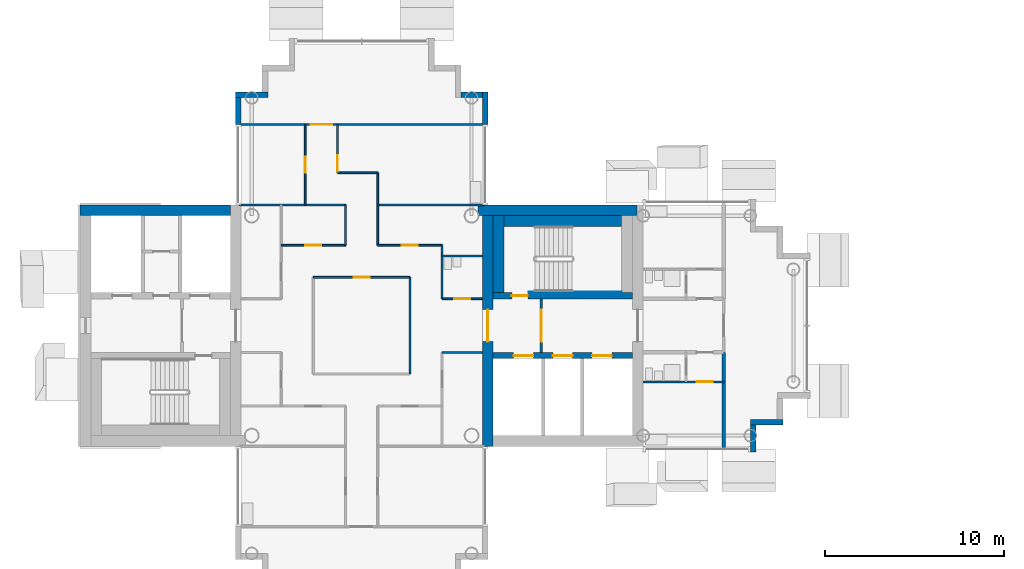
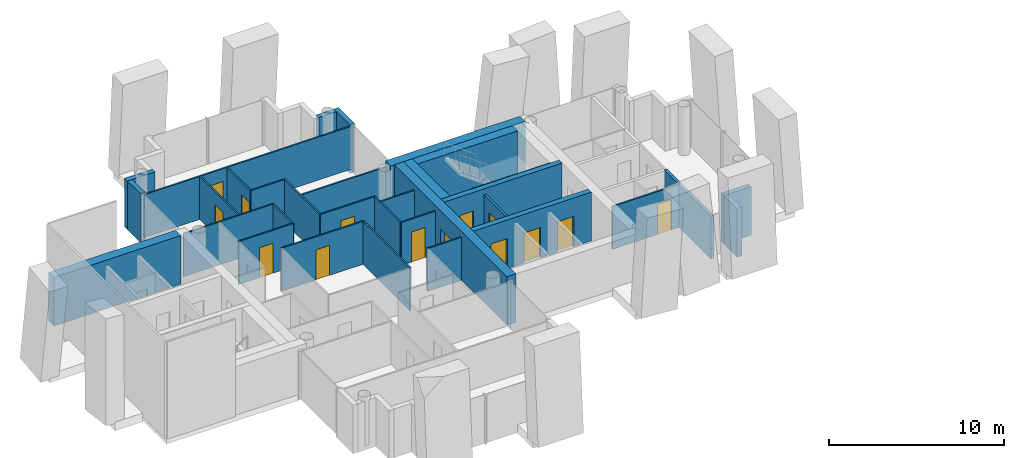
# One storey, part 7 of 19: 33 walls, 14 doors, 14 openings.
"""IFC4 building model written with IfcOpenShell, lengths in metres."""

import ifcopenshell
import ifcopenshell.guid

model = None  # the IFC model being written
_history = None  # IfcOwnerHistory: only IFC2X3 demands one
_inside = {}  # id of a spatial element -> (the spatial element, [elements in it])
_under = {}  # id of a project, library or spatial element -> (it, [spatial elements below it])
_declared = {}  # id of a project -> (the project, [libraries it declares])
_typed = {}  # id of a type object -> (the type object, [elements of that type])
_made_of = {}  # id of a material, layer set ... -> (it, [elements and type objects made of it])


def new_model(schema):
    """Start an empty IFC model of exactly this schema.

    Asked for "IFC4X3", IfcOpenShell would pick the latest addendum, in which some entities
    have other attributes; the version numbers below select the first issue.
    IFC2X3 requires an IfcOwnerHistory on every rooted entity: one is made here for all.
    """
    global model, _history
    if schema == "IFC4X3":
        model = ifcopenshell.file(schema_version=(4, 3, 0, 0))
    else:
        model = ifcopenshell.file(schema=schema)
    _inside.clear()
    _under.clear()
    _declared.clear()
    _typed.clear()
    _made_of.clear()
    _history = None
    if model.schema == "IFC2X3":
        org = make("IfcOrganization", Name="unknown")
        user = make(
            "IfcPersonAndOrganization",
            ThePerson=make("IfcPerson", FamilyName="unknown"),
            TheOrganization=org,
        )
        app = make(
            "IfcApplication",
            ApplicationDeveloper=org,
            Version="unknown",
            ApplicationFullName="unknown",
            ApplicationIdentifier="unknown",
        )
        _history = make(
            "IfcOwnerHistory",
            OwningUser=user,
            OwningApplication=app,
            ChangeAction="ADDED",
            CreationDate=0,
        )
    return model


def make(cls, **values):
    """One entity of the class cls with the attributes given. An attribute that is None is left unset."""
    return model.create_entity(
        cls, **{name: value for name, value in values.items() if value is not None}
    )


def rooted(cls, **values):
    """An entity with a GlobalId (a new one), such as an element, a storey or a relation."""
    return make(cls, GlobalId=ifcopenshell.guid.new(), OwnerHistory=_history, **values)


def si_unit(unit_type, name, prefix=None):
    """IfcSIUnit, for example si_unit("LENGTHUNIT", "METRE", prefix="MILLI")."""
    return make("IfcSIUnit", UnitType=unit_type, Prefix=prefix, Name=name)


def assignment(units):
    """IfcUnitAssignment: the units of a project."""
    return None if units is None else make("IfcUnitAssignment", Units=units)


def point(xyz):
    """IfcCartesianPoint."""
    return None if xyz is None else make("IfcCartesianPoint", Coordinates=xyz)


def direction(xyz):
    """IfcDirection."""
    return None if xyz is None else make("IfcDirection", DirectionRatios=xyz)


def frame(location, z_axis=None, x_axis=None):
    """IfcAxis2Placement3D, a coordinate frame: its origin and axes. An axis left out is left unset."""
    return make(
        "IfcAxis2Placement3D",
        Location=point(location),
        Axis=direction(z_axis),
        RefDirection=direction(x_axis),
    )


def frame_2d(location, x_axis=None):
    """IfcAxis2Placement2D, a coordinate frame in the plane: its origin and x axis."""
    return make(
        "IfcAxis2Placement2D", Location=point(location), RefDirection=direction(x_axis)
    )


def origin():
    """The frame at (0, 0, 0) with its axes left unset."""
    return frame((0.0, 0.0, 0.0))


def place(relative_to, where):
    """IfcLocalPlacement: puts the frame where relative to a parent placement (None: the world)."""
    return make(
        "IfcLocalPlacement", PlacementRelTo=relative_to, RelativePlacement=where
    )


def context(
    kind, dimensions, precision=None, world=None, true_north=None, identifier=None
):
    """IfcGeometricRepresentationContext, for example the 3D "Model" context."""
    return make(
        "IfcGeometricRepresentationContext",
        ContextIdentifier=identifier,
        ContextType=kind,
        CoordinateSpaceDimension=dimensions,
        Precision=precision,
        WorldCoordinateSystem=world,
        TrueNorth=true_north,
    )


def subcontext(parent, identifier, kind, view, scale=None):
    """IfcGeometricRepresentationSubContext, for example "Body" below "Model"."""
    return make(
        "IfcGeometricRepresentationSubContext",
        ContextIdentifier=identifier,
        ContextType=kind,
        ParentContext=parent,
        TargetScale=scale,
        TargetView=view,
    )


def project(units=None, contexts=None):
    """IfcProject with its units and contexts."""
    return rooted(
        "IfcProject",
        Name="project",
        RepresentationContexts=contexts,
        UnitsInContext=assignment(units),
    )


def spatial(cls, under=None, at=None, **own):
    """A site, building, storey or space (cls), placed at a placement, below another one or the project."""
    s = rooted(cls, ObjectPlacement=at, **own)
    if under is not None:
        _under.setdefault(under.id(), (under, []))[1].append(s)
    return s


def profile(cls, at=None, kind="AREA", **sizes):
    """A parametric profile (cls). Its sizes go by their IFC names, for example OverallWidth=200.0."""
    return make(cls, ProfileType=kind, Position=at, **sizes)


def rectangle(**sizes):
    """IfcRectangleProfileDef."""
    return profile("IfcRectangleProfileDef", **sizes)


def extrude(swept, where, along, depth):
    """IfcExtrudedAreaSolid: the profile swept, set in the frame where, extruded along a direction by depth."""
    return make(
        "IfcExtrudedAreaSolid",
        SweptArea=swept,
        Position=where,
        ExtrudedDirection=direction(along),
        Depth=depth,
    )


def shape(context_of_items, identifier, shape_type, items):
    """IfcShapeRepresentation: the items that make up one representation, for example the "Body"."""
    return make(
        "IfcShapeRepresentation",
        ContextOfItems=context_of_items,
        RepresentationIdentifier=identifier,
        RepresentationType=shape_type,
        Items=items,
    )


def material(Name=None, Category=None):
    """IfcMaterial."""
    return make("IfcMaterial", Name=Name, Category=Category)


def layer(
    of_material, thickness, ventilated=None, Name=None, Category=None, Priority=None
):
    """IfcMaterialLayer: one layer of a wall or slab, of a material (None: an air gap)."""
    return make(
        "IfcMaterialLayer",
        Material=of_material,
        LayerThickness=thickness,
        IsVentilated=ventilated,
        Name=Name,
        Category=Category,
        Priority=Priority,
    )


def layer_set(layers, Name=None):
    """IfcMaterialLayerSet."""
    return make("IfcMaterialLayerSet", MaterialLayers=layers, LayerSetName=Name)


def made_of(thing, what):
    """Note that an element or type object is made of a material, layer set ...; save() writes the relation."""
    if what is not None:
        _made_of.setdefault(what.id(), (what, []))[1].append(thing)
    return thing


def type_object(cls, material=None, **own):
    """A type object (cls), such as IfcWallType, which elements share."""
    return made_of(rooted(cls, **own), material)


def element(
    cls,
    number,
    at=None,
    inside=None,
    cuts=None,
    type_object=None,
    material=None,
    context=None,
    identifier="Body",
    shape_type=None,
    held_by="IfcProductDefinitionShape",
    body=None,
    shapes=None,
    **own,
):
    """One element of the class cls, such as IfcWall. Its Tag is "e" and its number.

    at: its placement. inside: the storey or other place that contains it. cuts: it is an
    opening in that element (IfcRelVoidsElement). A single representation is given by context,
    identifier, shape_type and body (its items); several are given by shapes. held_by: the class
    of the entity that holds the representations. save() writes the other relations.
    """
    e = rooted(cls, Tag="e%d" % number, ObjectPlacement=at, **own)
    if body is not None:
        shapes = [shape(context, identifier, shape_type, body)]
    if shapes is not None:
        e.Representation = make(held_by, Representations=shapes)
    if inside is not None:
        _inside.setdefault(inside.id(), (inside, []))[1].append(e)
    if cuts is not None:
        rooted(
            "IfcRelVoidsElement", RelatingBuildingElement=cuts, RelatedOpeningElement=e
        )
    if type_object is not None:
        _typed.setdefault(type_object.id(), (type_object, []))[1].append(e)
    return made_of(e, material)


def fill(opening, filler):
    """IfcRelFillsElement: the door or window that sits in an opening."""
    return rooted(
        "IfcRelFillsElement",
        RelatingOpeningElement=opening,
        RelatedBuildingElement=filler,
    )


def aggregate(whole, parts):
    """IfcRelAggregates: a whole, such as a stair, and the parts it consists of."""
    return rooted("IfcRelAggregates", RelatingObject=whole, RelatedObjects=parts)


def save(model, path):
    """Write the relations noted so far, then the file.

    IfcRelAggregates (storeys below a building ...), IfcRelContainedInSpatialStructure (elements
    in a storey), IfcRelDefinesByType, IfcRelAssociatesMaterial and IfcRelDeclares: one each for
    every whole, place, type object, material and project.
    """
    for whole, parts in _under.values():
        aggregate(whole, parts)
    for where, things in _inside.values():
        rooted(
            "IfcRelContainedInSpatialStructure",
            RelatedElements=things,
            RelatingStructure=where,
        )
    for kind, things in _typed.values():
        rooted("IfcRelDefinesByType", RelatedObjects=things, RelatingType=kind)
    for what, things in _made_of.values():
        rooted("IfcRelAssociatesMaterial", RelatedObjects=things, RelatingMaterial=what)
    for by, libraries in _declared.values():
        rooted("IfcRelDeclares", RelatingContext=by, RelatedDefinitions=libraries)
    model.write(path)


model = new_model("IFC4")

# Units and contexts
model_context = context("Model", 3, precision=1e-05, world=origin(), true_north=direction((0.0, 1.0)))
body_context = subcontext(model_context, "Body", "Model", "MODEL_VIEW")
ifc_project = project(units=[si_unit("LENGTHUNIT", "METRE"), si_unit("AREAUNIT", "SQUARE_METRE"), si_unit("VOLUMEUNIT", "CUBIC_METRE"), si_unit("PLANEANGLEUNIT", "RADIAN"), si_unit("MASSUNIT", "GRAM", prefix="KILO")], contexts=[model_context])

# Site, building, storey
site_placement = place(None, origin())
site = spatial("IfcSite", under=ifc_project, at=site_placement, CompositionType="ELEMENT")
building_placement = place(site_placement, origin())
building = spatial("IfcBuilding", under=site, at=building_placement, Name="Ipe Terrace Towers", CompositionType="ELEMENT")
storey_placement = place(building_placement, frame((0.0, 0.0, 189.199951171875)))
storey = spatial("IfcBuildingStorey", under=building, at=storey_placement, Name="L52", CompositionType="ELEMENT", Elevation=189.199951171875)

# Walls
ifc_material_1 = material(Name="Concrete C40/50 with buff precast cladding", Category="concrete")
ifc_layer_1 = layer(ifc_material_1, 0.320068359375)
ifc_layer_set_1 = layer_set([ifc_layer_1], Name="BUFF CLADDING WALL 320")
wall_type_1 = type_object("IfcWallType", Name="BUFF CLADDING WALL 320", PredefinedType="STANDARD", material=ifc_layer_set_1)
wall_1_placement = place(storey_placement, frame((-14.090087890625, -7.070068359375, -0.300048828125), z_axis=(0.0, 0.0, 1.0), x_axis=(0.0, 1.0, 0.0)))
element("IfcWall", 1, at=wall_1_placement, inside=storey, type_object=wall_type_1, Name="T1-W-L52-17a wall", PredefinedType="STANDARD", context=body_context, shape_type="SweptSolid", body=[
    extrude(rectangle(XDim=1.5, YDim=0.320068359375, at=frame_2d((0.75, 0.0))), origin(), (0.0, 0.0, 1.0), 3.400146484375),
])
for number, where, z_axis, x_axis, name in (
    (2, (-14.25, -5.409912109375, -0.300048828125), (0.0, 0.0, 1.0), (1.0, 0.0, 0.0), "T1-W-L52-18a wall"),
    (3, (-29.090087890625, 11.25, -0.300048828125), (0.0, 0.0, 1.0), (0.0, 1.0, 0.0), "T1-W-L52-29a wall"),
):
    element("IfcWall", number, at=place(storey_placement, frame(where, z_axis=z_axis, x_axis=x_axis)), inside=storey, type_object=wall_type_1, Name=name, PredefinedType="STANDARD", context=body_context, shape_type="SweptSolid", body=[
        extrude(rectangle(XDim=1.820068359375, YDim=0.320068359375, at=frame_2d((0.91015625, 0.0))), origin(), (0.0, 0.0, 1.0), 3.400146484375),
    ])
wall_2_placement = place(storey_placement, frame((-29.25, 12.909912109375, -0.300048828125), z_axis=(0.0, 0.0, 1.0), x_axis=(-1.0, 0.0, 0.0)))
element("IfcWall", 4, at=wall_2_placement, inside=storey, type_object=wall_type_1, Name="T1-W-L52-30a wall", PredefinedType="STANDARD", context=body_context, shape_type="SweptSolid", body=[
    extrude(rectangle(XDim=1.179931640625, YDim=0.320068359375, at=frame_2d((0.58984375, 0.0))), origin(), (0.0, 0.0, 1.0), 3.400146484375),
])
wall_3_placement = place(storey_placement, frame((-41.25, 12.909912109375, -0.300048828125), z_axis=(0.0, 0.0, 1.0), x_axis=(-1.0, 0.0, 0.0)))
element("IfcWall", 5, at=wall_3_placement, inside=storey, type_object=wall_type_1, Name="T1-W-L52-38a wall", PredefinedType="STANDARD", context=body_context, shape_type="SweptSolid", body=[
    extrude(rectangle(XDim=1.820068359375, YDim=0.320068359375, at=frame_2d((0.91015625, 0.0))), origin(), (0.0, 0.0, 1.0), 3.400146484375),
])
wall_4_placement = place(storey_placement, frame((-42.909912109375, 12.75, -0.300048828125), z_axis=(0.0, 0.0, 1.0), x_axis=(0.0, -1.0, 0.0)))
element("IfcWall", 6, at=wall_4_placement, inside=storey, type_object=wall_type_1, Name="T1-W-L52-39a wall", PredefinedType="STANDARD", context=body_context, shape_type="SweptSolid", body=[
    extrude(rectangle(XDim=1.5, YDim=0.320068359375, at=frame_2d((0.75, 0.0))), origin(), (0.0, 0.0, 1.0), 3.400146484375),
])

# Wall, opening, door
ifc_material_2 = material(Name="Gypsum board partition", Category="plasterboard")
ifc_layer_2 = layer(ifc_material_2, 0.10009765625)
ifc_layer_set_2 = layer_set([ifc_layer_2], Name="Gypsum board partition 100 mm")
wall_type_2 = type_object("IfcWallType", Name="Gypsum board partition 100 mm", PredefinedType="PARTITIONING", material=ifc_layer_set_2)
wall_5_placement = place(storey_placement, frame((-39.14990234375, 6.75, 0.0), z_axis=(0.0, 0.0, 1.0), x_axis=(0.0, 1.0, 0.0)))
wall_5 = element("IfcWall", 7, at=wall_5_placement, inside=storey, type_object=wall_type_2, Name="Gypsum board partition T1 L52 W03", PredefinedType="PARTITIONING", context=body_context, shape_type="SweptSolid", body=[
    extrude(rectangle(XDim=4.5, YDim=0.10009765625, at=frame_2d((2.25, 0.0))), origin(), (0.0, 0.0, 1.0), 3.0),
])
opening_1_placement = place(wall_5_placement, frame((1.800048828125, 0.0, 0.0)))
opening_1 = element("IfcOpeningElement", 8, at=opening_1_placement, cuts=wall_5, Name="Opening T1-Z4C-10", PredefinedType="OPENING", context=body_context, shape_type="SweptSolid", body=[
    extrude(rectangle(XDim=0.89990234375, YDim=2.10009765625, at=frame_2d((0.449951171875, 1.050048828125))), frame((0.0, 0.06005859375, 0.0), z_axis=(0.0, -1.0, 0.0), x_axis=(1.0, 0.0, 0.0)), (0.0, 0.0, 1.0), 0.1201171875),
])
ifc_material_3 = material(Name="Timber door leaf", Category="wood")
door_type_1 = type_object("IfcDoorType", Name="Lounge door 900 x 2100", OperationType="NOTDEFINED", PredefinedType="DOOR", material=ifc_material_3)
door_1_placement = place(opening_1_placement, origin())
door_1 = element("IfcDoor", 9, at=door_1_placement, inside=storey, type_object=door_type_1, Name="Lounge door T1-Z4C-10", OperationType="SINGLE_SWING_LEFT", OverallHeight=2.10009765625, OverallWidth=0.89990234375, PredefinedType="DOOR", context=body_context, shape_type="SweptSolid", body=[
    extrude(rectangle(XDim=0.89990234375, YDim=2.10009765625, at=frame_2d((0.449951171875, 1.050048828125))), frame((0.0, 0.02490234375, 0.0), z_axis=(0.0, -1.0, 0.0), x_axis=(1.0, 0.0, 0.0)), (0.0, 0.0, 1.0), 0.050048828125),
])
fill(opening_1, door_1)

wall_6_placement = place(storey_placement, frame((-37.35009765625, 8.550048828125, 0.0), z_axis=(0.0, 0.0, 1.0), x_axis=(0.0, 1.0, 0.0)))
wall_6 = element("IfcWall", 10, at=wall_6_placement, inside=storey, type_object=wall_type_2, Name="Gypsum board partition T1 L52 W05", PredefinedType="PARTITIONING", context=body_context, shape_type="SweptSolid", body=[
    extrude(rectangle(XDim=2.699951171875, YDim=0.10009765625, at=frame_2d((1.35009765625, 0.0))), origin(), (0.0, 0.0, 1.0), 3.0),
])
opening_2_placement = place(wall_6_placement, frame((0.070068359375, 0.0, 0.0)))
opening_2 = element("IfcOpeningElement", 11, at=opening_2_placement, cuts=wall_6, Name="Opening T1-Z4C-11", PredefinedType="OPENING", context=body_context, shape_type="SweptSolid", body=[
    extrude(rectangle(XDim=0.89990234375, YDim=2.10009765625, at=frame_2d((0.449951171875, 1.050048828125))), frame((0.0, 0.06005859375, 0.0), z_axis=(0.0, -1.0, 0.0), x_axis=(1.0, 0.0, 0.0)), (0.0, 0.0, 1.0), 0.1201171875),
])
door_2_placement = place(opening_2_placement, origin())
door_2 = element("IfcDoor", 12, at=door_2_placement, inside=storey, type_object=door_type_1, Name="Lounge door T1-Z4C-11", OperationType="SINGLE_SWING_LEFT", OverallHeight=2.10009765625, OverallWidth=0.89990234375, PredefinedType="DOOR", context=body_context, shape_type="SweptSolid", body=[
    extrude(rectangle(XDim=0.89990234375, YDim=2.10009765625, at=frame_2d((0.449951171875, 1.050048828125))), frame((0.0, 0.02490234375, 0.0), z_axis=(0.0, -1.0, 0.0), x_axis=(1.0, 0.0, 0.0)), (0.0, 0.0, 1.0), 0.050048828125),
])
fill(opening_2, door_2)

# Walls
wall_7_placement = place(storey_placement, frame((-36.89990234375, 4.5, 0.0), z_axis=(0.0, 0.0, 1.0), x_axis=(0.0, 1.0, 0.0)))
element("IfcWall", 13, at=wall_7_placement, inside=storey, type_object=wall_type_2, Name="Gypsum board partition T1 L52 W07", PredefinedType="PARTITIONING", context=body_context, shape_type="SweptSolid", body=[
    extrude(rectangle(XDim=2.25, YDim=0.10009765625, at=frame_2d((1.125, 0.0))), origin(), (0.0, 0.0, 1.0), 3.0),
])
wall_8_placement = place(storey_placement, frame((-35.10009765625, 4.5, 0.0), z_axis=(0.0, 0.0, 1.0), x_axis=(0.0, 1.0, 0.0)))
element("IfcWall", 14, at=wall_8_placement, inside=storey, type_object=wall_type_2, Name="Gypsum board partition T1 L52 W09", PredefinedType="PARTITIONING", context=body_context, shape_type="SweptSolid", body=[
    extrude(rectangle(XDim=4.050048828125, YDim=0.10009765625, at=frame_2d((2.02490234375, 0.0))), origin(), (0.0, 0.0, 1.0), 3.0),
])
wall_9_placement = place(storey_placement, frame((-33.300048828125, -2.699951171875, 0.0), z_axis=(0.0, 0.0, 1.0), x_axis=(0.0, 1.0, 0.0)))
element("IfcWall", 15, at=wall_9_placement, inside=storey, type_object=wall_type_2, Name="Gypsum board partition T1 L52 W10", PredefinedType="PARTITIONING", context=body_context, shape_type="SweptSolid", body=[
    extrude(rectangle(XDim=5.39990234375, YDim=0.10009765625, at=frame_2d((2.699951171875, 0.0))), origin(), (0.0, 0.0, 1.0), 3.0),
])
wall_10_placement = place(storey_placement, frame((-31.5, 1.5, 0.0), z_axis=(0.0, 0.0, 1.0), x_axis=(0.0, 1.0, 0.0)))
element("IfcWall", 16, at=wall_10_placement, inside=storey, type_object=wall_type_2, Name="Gypsum board partition T1 L52 W12", PredefinedType="PARTITIONING", context=body_context, shape_type="SweptSolid", body=[
    extrude(rectangle(XDim=3.0, YDim=0.10009765625, at=frame_2d((1.5, 0.0))), origin(), (0.0, 0.0, 1.0), 3.0),
])

# Wall, opening, door
wall_11_placement = place(storey_placement, frame((-20.25, -3.14990234375, 0.0), z_axis=(0.0, 0.0, 1.0), x_axis=(1.0, 0.0, 0.0)))
wall_11 = element("IfcWall", 17, at=wall_11_placement, inside=storey, type_object=wall_type_2, Name="Gypsum board partition T1 L52 W23", PredefinedType="PARTITIONING", context=body_context, shape_type="SweptSolid", body=[
    extrude(rectangle(XDim=4.5, YDim=0.10009765625, at=frame_2d((2.25, 0.0))), origin(), (0.0, 0.0, 1.0), 3.0),
])
opening_3_placement = place(wall_11_placement, frame((3.0, 0.0, 0.0)))
opening_3 = element("IfcOpeningElement", 18, at=opening_3_placement, cuts=wall_11, Name="Opening T1-Z4C-20", PredefinedType="OPENING", context=body_context, shape_type="SweptSolid", body=[
    extrude(rectangle(XDim=0.89990234375, YDim=2.10009765625, at=frame_2d((0.449951171875, 1.050048828125))), frame((0.0, 0.06005859375, 0.0), z_axis=(0.0, -1.0, 0.0), x_axis=(1.0, 0.0, 0.0)), (0.0, 0.0, 1.0), 0.1201171875),
])
ifc_material_4 = material(Name="Timber door leaf", Category="wood")
door_type_2 = type_object("IfcDoorType", Name="Bedroom door 900 x 2100", OperationType="NOTDEFINED", PredefinedType="DOOR", material=ifc_material_4)
door_3_placement = place(opening_3_placement, origin())
door_3 = element("IfcDoor", 19, at=door_3_placement, inside=storey, type_object=door_type_2, Name="Bedroom door T1-Z4C-20", OperationType="SINGLE_SWING_RIGHT", OverallHeight=2.10009765625, OverallWidth=0.89990234375, PredefinedType="DOOR", context=body_context, shape_type="SweptSolid", body=[
    extrude(rectangle(XDim=0.89990234375, YDim=2.10009765625, at=frame_2d((0.449951171875, 1.050048828125))), frame((0.0, 0.02490234375, 0.0), z_axis=(0.0, -1.0, 0.0), x_axis=(1.0, 0.0, 0.0)), (0.0, 0.0, 1.0), 0.050048828125),
])
fill(opening_3, door_3)

# Wall
wall_12_placement = place(storey_placement, frame((-31.5, -1.5, 0.0), z_axis=(0.0, 0.0, 1.0), x_axis=(1.0, 0.0, 0.0)))
element("IfcWall", 20, at=wall_12_placement, inside=storey, type_object=wall_type_2, Name="Gypsum board partition T1 L52 W26", PredefinedType="PARTITIONING", context=body_context, shape_type="SweptSolid", body=[
    extrude(rectangle(XDim=2.25, YDim=0.10009765625, at=frame_2d((1.125, 0.0))), origin(), (0.0, 0.0, 1.0), 3.0),
])

# Wall, opening, door
wall_13_placement = place(storey_placement, frame((-31.5, 1.5, 0.0), z_axis=(0.0, 0.0, 1.0), x_axis=(1.0, 0.0, 0.0)))
wall_13 = element("IfcWall", 21, at=wall_13_placement, inside=storey, type_object=wall_type_2, Name="Gypsum board partition T1 L52 W29", PredefinedType="PARTITIONING", context=body_context, shape_type="SweptSolid", body=[
    extrude(rectangle(XDim=2.25, YDim=0.10009765625, at=frame_2d((1.125, 0.0))), origin(), (0.0, 0.0, 1.0), 3.0),
])
opening_4_placement = place(wall_13_placement, frame((0.675048828125, 0.0, 0.0)))
opening_4 = element("IfcOpeningElement", 22, at=opening_4_placement, cuts=wall_13, Name="Opening T1-Z4C-02", PredefinedType="OPENING", context=body_context, shape_type="SweptSolid", body=[
    extrude(rectangle(XDim=0.89990234375, YDim=2.10009765625, at=frame_2d((0.449951171875, 1.050048828125))), frame((0.0, 0.06005859375, 0.0), z_axis=(0.0, -1.0, 0.0), x_axis=(1.0, 0.0, 0.0)), (0.0, 0.0, 1.0), 0.1201171875),
])
ifc_material_5 = material(Name="Timber door leaf", Category="wood")
door_type_3 = type_object("IfcDoorType", Name="Bathroom door 900 x 2100", OperationType="NOTDEFINED", PredefinedType="DOOR", material=ifc_material_5)
door_4_placement = place(opening_4_placement, origin())
door_4 = element("IfcDoor", 23, at=door_4_placement, inside=storey, type_object=door_type_3, Name="Bathroom door T1-Z4C-02", OperationType="SINGLE_SWING_LEFT", OverallHeight=2.10009765625, OverallWidth=0.89990234375, PredefinedType="DOOR", context=body_context, shape_type="SweptSolid", body=[
    extrude(rectangle(XDim=0.89990234375, YDim=2.10009765625, at=frame_2d((0.449951171875, 1.050048828125))), frame((0.0, 0.02490234375, 0.0), z_axis=(0.0, -1.0, 0.0), x_axis=(1.0, 0.0, 0.0)), (0.0, 0.0, 1.0), 0.050048828125),
])
fill(opening_4, door_4)

wall_14_placement = place(storey_placement, frame((-38.699951171875, 2.699951171875, 0.0), z_axis=(0.0, 0.0, 1.0), x_axis=(1.0, 0.0, 0.0)))
wall_14 = element("IfcWall", 24, at=wall_14_placement, inside=storey, type_object=wall_type_2, Name="Gypsum board partition T1 L52 W31", PredefinedType="PARTITIONING", context=body_context, shape_type="SweptSolid", body=[
    extrude(rectangle(XDim=5.39990234375, YDim=0.10009765625, at=frame_2d((2.699951171875, 0.0))), origin(), (0.0, 0.0, 1.0), 3.0),
])
opening_5_placement = place(wall_14_placement, frame((2.25, 0.0, 0.0)))
opening_5 = element("IfcOpeningElement", 25, at=opening_5_placement, cuts=wall_14, Name="Opening T1-Z4C-01", PredefinedType="OPENING", context=body_context, shape_type="SweptSolid", body=[
    extrude(rectangle(XDim=0.89990234375, YDim=2.10009765625, at=frame_2d((0.449951171875, 1.050048828125))), frame((0.0, 0.06005859375, 0.0), z_axis=(0.0, -1.0, 0.0), x_axis=(1.0, 0.0, 0.0)), (0.0, 0.0, 1.0), 0.1201171875),
])
door_5_placement = place(opening_5_placement, origin())
door_5 = element("IfcDoor", 26, at=door_5_placement, inside=storey, type_object=door_type_1, Name="Lounge door T1-Z4C-01", OperationType="SINGLE_SWING_RIGHT", OverallHeight=2.10009765625, OverallWidth=0.89990234375, PredefinedType="DOOR", context=body_context, shape_type="SweptSolid", body=[
    extrude(rectangle(XDim=0.89990234375, YDim=2.10009765625, at=frame_2d((0.449951171875, 1.050048828125))), frame((0.0, 0.02490234375, 0.0), z_axis=(0.0, -1.0, 0.0), x_axis=(1.0, 0.0, 0.0)), (0.0, 0.0, 1.0), 0.050048828125),
])
fill(opening_5, door_5)

# Wall
wall_15_placement = place(storey_placement, frame((-31.5, 3.89990234375, 0.0), z_axis=(0.0, 0.0, 1.0), x_axis=(1.0, 0.0, 0.0)))
element("IfcWall", 27, at=wall_15_placement, inside=storey, type_object=wall_type_2, Name="Gypsum board partition T1 L52 W33", PredefinedType="PARTITIONING", context=body_context, shape_type="SweptSolid", body=[
    extrude(rectangle(XDim=2.25, YDim=0.10009765625, at=frame_2d((1.125, 0.0))), origin(), (0.0, 0.0, 1.0), 3.0),
])

# Wall, opening, door
wall_16_placement = place(storey_placement, frame((-40.5, 4.5, 0.0), z_axis=(0.0, 0.0, 1.0), x_axis=(1.0, 0.0, 0.0)))
wall_16 = element("IfcWall", 28, at=wall_16_placement, inside=storey, type_object=wall_type_2, Name="Gypsum board partition T1 L52 W34", PredefinedType="PARTITIONING", context=body_context, shape_type="SweptSolid", body=[
    extrude(rectangle(XDim=3.60009765625, YDim=0.10009765625, at=frame_2d((1.800048828125, 0.0))), origin(), (0.0, 0.0, 1.0), 3.0),
])
opening_6_placement = place(wall_16_placement, frame((1.35009765625, 0.0, 0.0)))
opening_6 = element("IfcOpeningElement", 29, at=opening_6_placement, cuts=wall_16, Name="Opening T1-Z4C-04", PredefinedType="OPENING", context=body_context, shape_type="SweptSolid", body=[
    extrude(rectangle(XDim=0.89990234375, YDim=2.10009765625, at=frame_2d((0.449951171875, 1.050048828125))), frame((0.0, 0.06005859375, 0.0), z_axis=(0.0, -1.0, 0.0), x_axis=(1.0, 0.0, 0.0)), (0.0, 0.0, 1.0), 0.1201171875),
])
door_6_placement = place(opening_6_placement, origin())
door_6 = element("IfcDoor", 30, at=door_6_placement, inside=storey, type_object=door_type_1, Name="Lounge door T1-Z4C-04", OperationType="SINGLE_SWING_RIGHT", OverallHeight=2.10009765625, OverallWidth=0.89990234375, PredefinedType="DOOR", context=body_context, shape_type="SweptSolid", body=[
    extrude(rectangle(XDim=0.89990234375, YDim=2.10009765625, at=frame_2d((0.449951171875, 1.050048828125))), frame((0.0, 0.02490234375, 0.0), z_axis=(0.0, -1.0, 0.0), x_axis=(1.0, 0.0, 0.0)), (0.0, 0.0, 1.0), 0.050048828125),
])
fill(opening_6, door_6)

wall_17_placement = place(storey_placement, frame((-35.10009765625, 4.5, 0.0), z_axis=(0.0, 0.0, 1.0), x_axis=(1.0, 0.0, 0.0)))
wall_17 = element("IfcWall", 31, at=wall_17_placement, inside=storey, type_object=wall_type_2, Name="Gypsum board partition T1 L52 W35", PredefinedType="PARTITIONING", context=body_context, shape_type="SweptSolid", body=[
    extrude(rectangle(XDim=3.60009765625, YDim=0.10009765625, at=frame_2d((1.800048828125, 0.0))), origin(), (0.0, 0.0, 1.0), 3.0),
])
opening_7_placement = place(wall_17_placement, frame((1.35009765625, 0.0, 0.0)))
opening_7 = element("IfcOpeningElement", 32, at=opening_7_placement, cuts=wall_17, Name="Opening T1-Z4C-03", PredefinedType="OPENING", context=body_context, shape_type="SweptSolid", body=[
    extrude(rectangle(XDim=0.89990234375, YDim=2.10009765625, at=frame_2d((0.449951171875, 1.050048828125))), frame((0.0, 0.06005859375, 0.0), z_axis=(0.0, -1.0, 0.0), x_axis=(1.0, 0.0, 0.0)), (0.0, 0.0, 1.0), 0.1201171875),
])
door_7_placement = place(opening_7_placement, origin())
door_7 = element("IfcDoor", 33, at=door_7_placement, inside=storey, type_object=door_type_1, Name="Lounge door T1-Z4C-03", OperationType="SINGLE_SWING_LEFT", OverallHeight=2.10009765625, OverallWidth=0.89990234375, PredefinedType="DOOR", context=body_context, shape_type="SweptSolid", body=[
    extrude(rectangle(XDim=0.89990234375, YDim=2.10009765625, at=frame_2d((0.449951171875, 1.050048828125))), frame((0.0, 0.02490234375, 0.0), z_axis=(0.0, -1.0, 0.0), x_axis=(1.0, 0.0, 0.0)), (0.0, 0.0, 1.0), 0.050048828125),
])
fill(opening_7, door_7)

# Walls
for number, where, z_axis, x_axis, name in (
    (34, (-42.85009765625, 6.75, 0.0), (0.0, 0.0, 1.0), (1.0, 0.0, 0.0), "Gypsum board partition T1 L52 W36"),
    (35, (-35.10009765625, 6.75, 0.0), (0.0, 0.0, 1.0), (1.0, 0.0, 0.0), "Gypsum board partition T1 L52 W37"),
):
    element("IfcWall", number, at=place(storey_placement, frame(where, z_axis=z_axis, x_axis=x_axis)), inside=storey, type_object=wall_type_2, Name=name, PredefinedType="PARTITIONING", context=body_context, shape_type="SweptSolid", body=[
        extrude(rectangle(XDim=5.9501953125, YDim=0.10009765625, at=frame_2d((2.97509765625, 0.0))), origin(), (0.0, 0.0, 1.0), 3.0),
    ])
wall_18_placement = place(storey_placement, frame((-37.35009765625, 8.550048828125, 0.0), z_axis=(0.0, 0.0, 1.0), x_axis=(1.0, 0.0, 0.0)))
element("IfcWall", 36, at=wall_18_placement, inside=storey, type_object=wall_type_2, Name="Gypsum board partition T1 L52 W38", PredefinedType="PARTITIONING", context=body_context, shape_type="SweptSolid", body=[
    extrude(rectangle(XDim=2.25, YDim=0.10009765625, at=frame_2d((1.125, 0.0))), origin(), (0.0, 0.0, 1.0), 3.0),
])

# Wall, opening, door
wall_19_placement = place(storey_placement, frame((-42.85009765625, 11.25, 0.0), z_axis=(0.0, 0.0, 1.0), x_axis=(1.0, 0.0, 0.0)))
wall_19 = element("IfcWall", 37, at=wall_19_placement, inside=storey, type_object=wall_type_2, Name="Gypsum board partition T1 L52 W39", PredefinedType="PARTITIONING", context=body_context, shape_type="SweptSolid", body=[
    extrude(rectangle(XDim=13.7001953125, YDim=0.10009765625, at=frame_2d((6.85009765625, 0.0))), origin(), (0.0, 0.0, 1.0), 3.0),
])
opening_8_placement = place(wall_19_placement, frame((4.0, 0.0, 0.0)))
opening_8 = element("IfcOpeningElement", 38, at=opening_8_placement, cuts=wall_19, Name="Opening T1-Z4C-12", PredefinedType="OPENING", context=body_context, shape_type="SweptSolid", body=[
    extrude(rectangle(XDim=1.199951171875, YDim=2.10009765625, at=frame_2d((0.60009765625, 1.050048828125))), frame((0.0, 0.06005859375, 0.0), z_axis=(0.0, -1.0, 0.0), x_axis=(1.0, 0.0, 0.0)), (0.0, 0.0, 1.0), 0.1201171875),
])
ifc_material_6 = material(Name="Timber door leaf", Category="wood")
door_type_4 = type_object("IfcDoorType", Name="Lounge door 1200 x 2100", OperationType="NOTDEFINED", PredefinedType="DOOR", material=ifc_material_6)
door_8_placement = place(opening_8_placement, origin())
door_8 = element("IfcDoor", 39, at=door_8_placement, inside=storey, type_object=door_type_4, Name="Lounge door T1-Z4C-12", OperationType="SINGLE_SWING_RIGHT", OverallHeight=2.10009765625, OverallWidth=1.199951171875, PredefinedType="DOOR", context=body_context, shape_type="SweptSolid", body=[
    extrude(rectangle(XDim=1.199951171875, YDim=2.10009765625, at=frame_2d((0.60009765625, 1.050048828125))), frame((0.0, 0.02490234375, 0.0), z_axis=(0.0, -1.0, 0.0), x_axis=(1.0, 0.0, 0.0)), (0.0, 0.0, 1.0), 0.050048828125),
])
fill(opening_8, door_8)

ifc_material_7 = material(Name="Gypsum board partition", Category="plasterboard")
ifc_layer_3 = layer(ifc_material_7, 0.14990234375)
ifc_layer_set_3 = layer_set([ifc_layer_3], Name="Gypsum board partition 150 mm")
wall_type_3 = type_object("IfcWallType", Name="Gypsum board partition 150 mm", PredefinedType="PARTITIONING", material=ifc_layer_set_3)
wall_20_placement = place(storey_placement, frame((-25.949951171875, -1.5, 0.0), z_axis=(0.0, 0.0, 1.0), x_axis=(0.0, 1.0, 0.0)))
wall_20 = element("IfcWall", 40, at=wall_20_placement, inside=storey, type_object=wall_type_3, Name="Gypsum board partition T1 L52 t1c1-lobby-wall", PredefinedType="PARTITIONING", context=body_context, shape_type="SweptSolid", body=[
    extrude(rectangle(XDim=3.0, YDim=0.14990234375, at=frame_2d((1.5, 0.0))), origin(), (0.0, 0.0, 1.0), 3.0),
])
opening_9_placement = place(wall_20_placement, frame((0.60009765625, 0.0, 0.0)))
opening_9 = element("IfcOpeningElement", 41, at=opening_9_placement, cuts=wall_20, Name="Opening T1C1-VD", PredefinedType="OPENING", context=body_context, shape_type="SweptSolid", body=[
    extrude(rectangle(XDim=1.800048828125, YDim=2.10009765625, at=frame_2d((0.89990234375, 1.050048828125))), frame((0.0, 0.0849609375, 0.0), z_axis=(0.0, -1.0, 0.0), x_axis=(1.0, 0.0, 0.0)), (0.0, 0.0, 1.0), 0.169921875),
])
ifc_material_8 = material(Name="Fire-rated timber door leaf", Category="wood")
door_type_5 = type_object("IfcDoorType", Name="Lobby door 1800 x 2100 FD60", OperationType="NOTDEFINED", PredefinedType="DOOR", material=ifc_material_8)
door_9_placement = place(opening_9_placement, origin())
door_9 = element("IfcDoor", 42, at=door_9_placement, inside=storey, type_object=door_type_5, Name="Lobby door T1C1-VD", OperationType="SINGLE_SWING_LEFT", OverallHeight=2.10009765625, OverallWidth=1.800048828125, PredefinedType="DOOR", context=body_context, shape_type="SweptSolid", body=[
    extrude(rectangle(XDim=1.800048828125, YDim=2.10009765625, at=frame_2d((0.89990234375, 1.050048828125))), frame((0.0, 0.02490234375, 0.0), z_axis=(0.0, -1.0, 0.0), x_axis=(1.0, 0.0, 0.0)), (0.0, 0.0, 1.0), 0.050048828125),
])
fill(opening_9, door_9)

# Wall
ifc_material_9 = material(Name="Gypsum board party wall", Category="plasterboard")
ifc_layer_4 = layer(ifc_material_9, 0.199951171875)
ifc_layer_set_4 = layer_set([ifc_layer_4], Name="Gypsum board party wall 200 mm")
wall_type_4 = type_object("IfcWallType", Name="Gypsum board party wall 200 mm", PredefinedType="SOLIDWALL", material=ifc_layer_set_4)
wall_21_placement = place(storey_placement, frame((-15.75, -6.85009765625, 0.0), z_axis=(0.0, 0.0, 1.0), x_axis=(0.0, 1.0, 0.0)))
element("IfcWall", 43, at=wall_21_placement, inside=storey, type_object=wall_type_4, Name="Gypsum board party wall T1 L52 W16", PredefinedType="SOLIDWALL", context=body_context, shape_type="SweptSolid", body=[
    extrude(rectangle(XDim=5.35009765625, YDim=0.199951171875, at=frame_2d((2.675048828125, 0.0))), origin(), (0.0, 0.0, 1.0), 3.0),
])

# Wall, openings, doors
ifc_material_10 = material(Name="Concrete C40/50", Category="concrete")
ifc_layer_5 = layer(ifc_material_10, 0.35009765625)
ifc_layer_set_5 = layer_set([ifc_layer_5], Name="RW350 CORE SPINE WALL 350 C40-50")
wall_type_5 = type_object("IfcWallType", Name="RW350 CORE SPINE WALL 350 C40-50", PredefinedType="SHEAR", material=ifc_layer_set_5)
wall_22_placement = place(storey_placement, frame((-28.64990234375, -1.675048828125, 0.0), z_axis=(0.0, 0.0, 1.0), x_axis=(1.0, 0.0, 0.0)))
wall_22 = element("IfcWall", 44, at=wall_22_placement, inside=storey, type_object=wall_type_5, Name="Core spine wall T1-C1-Z4-SW1", PredefinedType="SHEAR", context=body_context, shape_type="SweptSolid", body=[
    extrude(rectangle(XDim=7.7998046875, YDim=0.35009765625, at=frame_2d((3.89990234375, 0.0))), origin(), (0.0, 0.0, 1.0), 3.400146484375),
])
opening_10_placement = place(wall_22_placement, frame((1.14990234375, 0.0, 0.0)))
opening_10 = element("IfcOpeningElement", 45, at=opening_10_placement, cuts=wall_22, Name="Opening T1C1-LD1", PredefinedType="OPENING", context=body_context, shape_type="SweptSolid", body=[
    extrude(rectangle(XDim=1.10009765625, YDim=2.10009765625, at=frame_2d((0.550048828125, 1.050048828125))), frame((0.0, 0.18505859375, 0.0), z_axis=(0.0, -1.0, 0.0), x_axis=(1.0, 0.0, 0.0)), (0.0, 0.0, 1.0), 0.3701171875),
])
opening_11_placement = place(wall_22_placement, frame((3.35009765625, 0.0, 0.0)))
opening_11 = element("IfcOpeningElement", 46, at=opening_11_placement, cuts=wall_22, Name="Opening T1C1-LD2", PredefinedType="OPENING", context=body_context, shape_type="SweptSolid", body=[
    extrude(rectangle(XDim=1.10009765625, YDim=2.10009765625, at=frame_2d((0.550048828125, 1.050048828125))), frame((0.0, 0.18505859375, 0.0), z_axis=(0.0, -1.0, 0.0), x_axis=(1.0, 0.0, 0.0)), (0.0, 0.0, 1.0), 0.3701171875),
])
opening_12_placement = place(wall_22_placement, frame((5.550048828125, 0.0, 0.0)))
opening_12 = element("IfcOpeningElement", 47, at=opening_12_placement, cuts=wall_22, Name="Opening T1C1-LD3", PredefinedType="OPENING", context=body_context, shape_type="SweptSolid", body=[
    extrude(rectangle(XDim=1.10009765625, YDim=2.10009765625, at=frame_2d((0.550048828125, 1.050048828125))), frame((0.0, 0.18505859375, 0.0), z_axis=(0.0, -1.0, 0.0), x_axis=(1.0, 0.0, 0.0)), (0.0, 0.0, 1.0), 0.3701171875),
])
ifc_material_11 = material(Name="Fire-rated timber door leaf", Category="wood")
door_type_6 = type_object("IfcDoorType", Name="Sliding door 1100 x 2100 FD60", OperationType="SLIDING_TO_LEFT", PredefinedType="DOOR", material=ifc_material_11)
door_10_placement = place(opening_10_placement, origin())
door_10 = element("IfcDoor", 48, at=door_10_placement, inside=storey, type_object=door_type_6, Name="Sliding door T1C1-LD1", OperationType="SLIDING_TO_LEFT", OverallHeight=2.10009765625, OverallWidth=1.10009765625, PredefinedType="DOOR", context=body_context, shape_type="SweptSolid", body=[
    extrude(rectangle(XDim=1.10009765625, YDim=2.10009765625, at=frame_2d((0.550048828125, 1.050048828125))), frame((0.0, 0.02490234375, 0.0), z_axis=(0.0, -1.0, 0.0), x_axis=(1.0, 0.0, 0.0)), (0.0, 0.0, 1.0), 0.050048828125),
])
fill(opening_10, door_10)
door_11_placement = place(opening_11_placement, origin())
door_11 = element("IfcDoor", 49, at=door_11_placement, inside=storey, type_object=door_type_6, Name="Sliding door T1C1-LD2", OperationType="SLIDING_TO_LEFT", OverallHeight=2.10009765625, OverallWidth=1.10009765625, PredefinedType="DOOR", context=body_context, shape_type="SweptSolid", body=[
    extrude(rectangle(XDim=1.10009765625, YDim=2.10009765625, at=frame_2d((0.550048828125, 1.050048828125))), frame((0.0, 0.02490234375, 0.0), z_axis=(0.0, -1.0, 0.0), x_axis=(1.0, 0.0, 0.0)), (0.0, 0.0, 1.0), 0.050048828125),
])
fill(opening_11, door_11)
door_12_placement = place(opening_12_placement, origin())
door_12 = element("IfcDoor", 50, at=door_12_placement, inside=storey, type_object=door_type_6, Name="Sliding door T1C1-LD3", OperationType="SLIDING_TO_LEFT", OverallHeight=2.10009765625, OverallWidth=1.10009765625, PredefinedType="DOOR", context=body_context, shape_type="SweptSolid", body=[
    extrude(rectangle(XDim=1.10009765625, YDim=2.10009765625, at=frame_2d((0.550048828125, 1.050048828125))), frame((0.0, 0.02490234375, 0.0), z_axis=(0.0, -1.0, 0.0), x_axis=(1.0, 0.0, 0.0)), (0.0, 0.0, 1.0), 0.050048828125),
])
fill(opening_12, door_12)

# Wall, opening, door
wall_23_placement = place(storey_placement, frame((-28.64990234375, 1.675048828125, 0.0), z_axis=(0.0, 0.0, 1.0), x_axis=(1.0, 0.0, 0.0)))
wall_23 = element("IfcWall", 51, at=wall_23_placement, inside=storey, type_object=wall_type_5, Name="Core spine wall T1-C1-Z4-SW2", PredefinedType="SHEAR", context=body_context, shape_type="SweptSolid", body=[
    extrude(rectangle(XDim=7.7998046875, YDim=0.35009765625, at=frame_2d((3.89990234375, 0.0))), origin(), (0.0, 0.0, 1.0), 3.400146484375),
])
opening_13_placement = place(wall_23_placement, frame((1.050048828125, 0.0, 0.0)))
opening_13 = element("IfcOpeningElement", 52, at=opening_13_placement, cuts=wall_23, Name="Opening T1C1-SD", PredefinedType="OPENING", context=body_context, shape_type="SweptSolid", body=[
    extrude(rectangle(XDim=0.89990234375, YDim=2.10009765625, at=frame_2d((0.449951171875, 1.050048828125))), frame((0.0, 0.18505859375, 0.0), z_axis=(0.0, -1.0, 0.0), x_axis=(1.0, 0.0, 0.0)), (0.0, 0.0, 1.0), 0.3701171875),
])
ifc_material_12 = material(Name="Fire-rated timber door leaf", Category="wood")
door_type_7 = type_object("IfcDoorType", Name="Stair door 900 x 2100 FD60", OperationType="NOTDEFINED", PredefinedType="DOOR", material=ifc_material_12)
door_13_placement = place(opening_13_placement, origin())
door_13 = element("IfcDoor", 53, at=door_13_placement, inside=storey, type_object=door_type_7, Name="Stair door T1C1-SD", OperationType="SINGLE_SWING_LEFT", OverallHeight=2.10009765625, OverallWidth=0.89990234375, PredefinedType="DOOR", context=body_context, shape_type="SweptSolid", body=[
    extrude(rectangle(XDim=0.89990234375, YDim=2.10009765625, at=frame_2d((0.449951171875, 1.050048828125))), frame((0.0, 0.02490234375, 0.0), z_axis=(0.0, -1.0, 0.0), x_axis=(1.0, 0.0, 0.0)), (0.0, 0.0, 1.0), 0.050048828125),
])
fill(opening_13, door_13)

# Walls
ifc_material_13 = material(Name="Concrete C40/50", Category="concrete")
ifc_layer_6 = layer(ifc_material_13, 0.050048828125)
ifc_layer_set_6 = layer_set([ifc_layer_6], Name="RW50 CORE INFILL WALL 50 C40-50")
wall_type_6 = type_object("IfcWallType", Name="RW50 CORE INFILL WALL 50 C40-50", PredefinedType="SHEAR", material=ifc_layer_set_6)
wall_24_placement = place(storey_placement, frame((-26.64990234375, 1.875, 0.0), z_axis=(0.0, 0.0, 1.0), x_axis=(1.0, 0.0, 0.0)))
element("IfcWall", 54, at=wall_24_placement, inside=storey, type_object=wall_type_6, Name="Core infill wall T1-C1-spine-b", PredefinedType="SHEAR", context=body_context, shape_type="SweptSolid", body=[
    extrude(rectangle(XDim=5.199951171875, YDim=0.050048828125, at=frame_2d((2.60009765625, 0.0))), origin(), (0.0, 0.0, 1.0), 3.400146484375),
])
ifc_material_14 = material(Name="Concrete C40/50", Category="concrete")
ifc_layer_7 = layer(ifc_material_14, 0.60009765625)
ifc_layer_set_7 = layer_set([ifc_layer_7], Name="RW600 CORE INFILL WALL 600 C40-50")
wall_type_7 = type_object("IfcWallType", Name="RW600 CORE INFILL WALL 600 C40-50", PredefinedType="SHEAR", material=ifc_layer_set_7)
wall_25_placement = place(storey_placement, frame((-28.050048828125, 5.85009765625, 0.0), z_axis=(0.0, 0.0, 1.0), x_axis=(1.0, 0.0, 0.0)))
element("IfcWall", 55, at=wall_25_placement, inside=storey, type_object=wall_type_7, Name="Core infill wall T1-C1-back", PredefinedType="SHEAR", context=body_context, shape_type="SweptSolid", body=[
    extrude(rectangle(XDim=6.60009765625, YDim=0.60009765625, at=frame_2d((3.300048828125, 0.0))), origin(), (0.0, 0.0, 1.0), 3.400146484375),
])
wall_26_placement = place(storey_placement, frame((-28.35009765625, 1.85009765625, 0.0), z_axis=(0.0, 0.0, 1.0), x_axis=(0.0, 1.0, 0.0)))
element("IfcWall", 56, at=wall_26_placement, inside=storey, type_object=wall_type_7, Name="Core infill wall T1-C1-near", PredefinedType="SHEAR", context=body_context, shape_type="SweptSolid", body=[
    extrude(rectangle(XDim=4.2998046875, YDim=0.60009765625, at=frame_2d((2.14990234375, 0.0))), origin(), (0.0, 0.0, 1.0), 3.400146484375),
])
ifc_material_15 = material(Name="Concrete C40/50", Category="concrete")
ifc_layer_8 = layer(ifc_material_15, 0.60009765625)
ifc_layer_set_8 = layer_set([ifc_layer_8], Name="RW600 CORE WALL 600 C40-50")
wall_type_8 = type_object("IfcWallType", Name="RW600 CORE WALL 600 C40-50", PredefinedType="SHEAR", material=ifc_layer_set_8)
wall_27_placement = place(storey_placement, frame((-20.60205078125, 6.449951171875, 0.0), z_axis=(0.0, 0.0, 1.0), x_axis=(-1.0, 0.0, 0.0)))
element("IfcWall", 57, at=wall_27_placement, inside=storey, type_object=wall_type_8, Name="Core wall T1-C1-Z4-W03", PredefinedType="SHEAR", context=body_context, shape_type="SweptSolid", body=[
    extrude(rectangle(XDim=8.89599609375, YDim=0.60009765625, at=frame_2d((4.447998046875, 0.0))), origin(), (0.0, 0.0, 1.0), 3.400146484375),
])

# Wall, opening, door
wall_28_placement = place(storey_placement, frame((-28.949951171875, 6.14990234375, 0.0), z_axis=(0.0, 0.0, 1.0), x_axis=(0.0, -1.0, 0.0)))
wall_28 = element("IfcWall", 58, at=wall_28_placement, inside=storey, type_object=wall_type_8, Name="Core wall T1-C1-Z4-W04", PredefinedType="SHEAR", context=body_context, shape_type="SweptSolid", body=[
    extrude(rectangle(XDim=12.89990234375, YDim=0.60009765625, at=frame_2d((6.449951171875, 0.0))), origin(), (0.0, 0.0, 1.0), 3.400146484375),
])
opening_14_placement = place(wall_28_placement, frame((5.25, 0.0, 0.0)))
opening_14 = element("IfcOpeningElement", 59, at=opening_14_placement, cuts=wall_28, Name="Opening T1C1-ND", PredefinedType="OPENING", context=body_context, shape_type="SweptSolid", body=[
    extrude(rectangle(XDim=1.800048828125, YDim=2.10009765625, at=frame_2d((0.89990234375, 1.050048828125))), frame((0.0, 0.31005859375, 0.0), z_axis=(0.0, -1.0, 0.0), x_axis=(1.0, 0.0, 0.0)), (0.0, 0.0, 1.0), 0.6201171875),
])
ifc_material_16 = material(Name="Fire-rated timber door leaf", Category="wood")
door_type_8 = type_object("IfcDoorType", Name="Fire door 1800 x 2100 FD30S", OperationType="NOTDEFINED", PredefinedType="DOOR", material=ifc_material_16)
door_14_placement = place(opening_14_placement, origin())
door_14 = element("IfcDoor", 60, at=door_14_placement, inside=storey, type_object=door_type_8, Name="Fire door T1C1-ND", OperationType="SINGLE_SWING_LEFT", OverallHeight=2.10009765625, OverallWidth=1.800048828125, PredefinedType="DOOR", context=body_context, shape_type="SweptSolid", body=[
    extrude(rectangle(XDim=1.800048828125, YDim=2.10009765625, at=frame_2d((0.89990234375, 1.050048828125))), frame((0.0, 0.02490234375, 0.0), z_axis=(0.0, -1.0, 0.0), x_axis=(1.0, 0.0, 0.0)), (0.0, 0.0, 1.0), 0.050048828125),
])
fill(opening_14, door_14)

# Wall
wall_29_placement = place(storey_placement, frame((-43.35009765625, 6.449951171875, 0.0), z_axis=(0.0, 0.0, 1.0), x_axis=(-1.0, 0.0, 0.0)))
element("IfcWall", 61, at=wall_29_placement, inside=storey, type_object=wall_type_8, Name="Core wall T1-C2-Z4-W03", PredefinedType="SHEAR", context=body_context, shape_type="SweptSolid", body=[
    extrude(rectangle(XDim=8.39990234375, YDim=0.60009765625, at=frame_2d((4.199951171875, 0.0))), origin(), (0.0, 0.0, 1.0), 3.400146484375),
])

save(model, "model.ifc")
